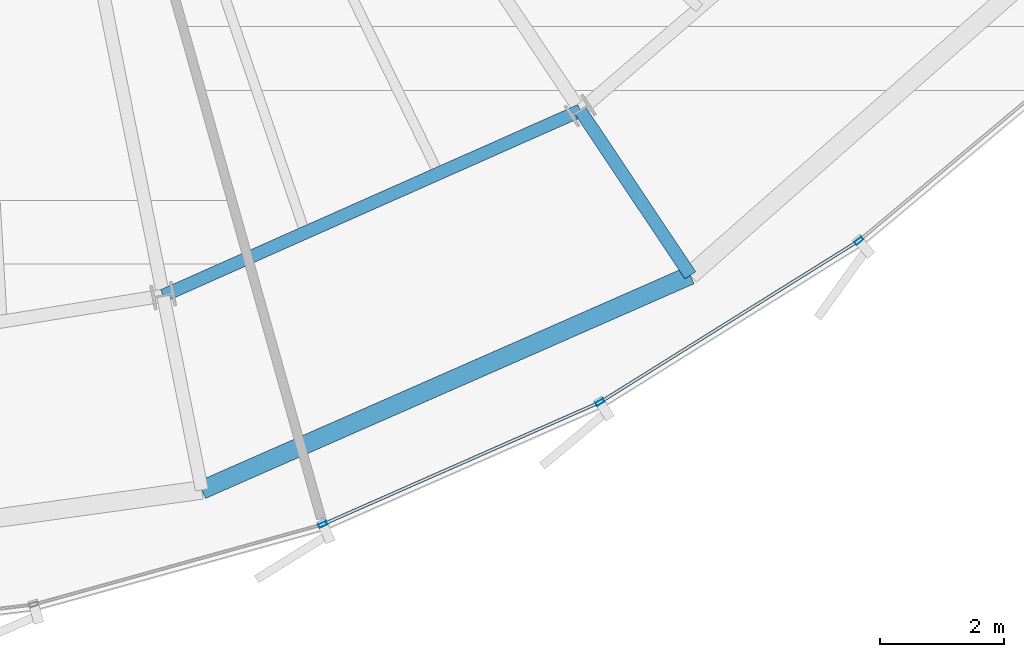
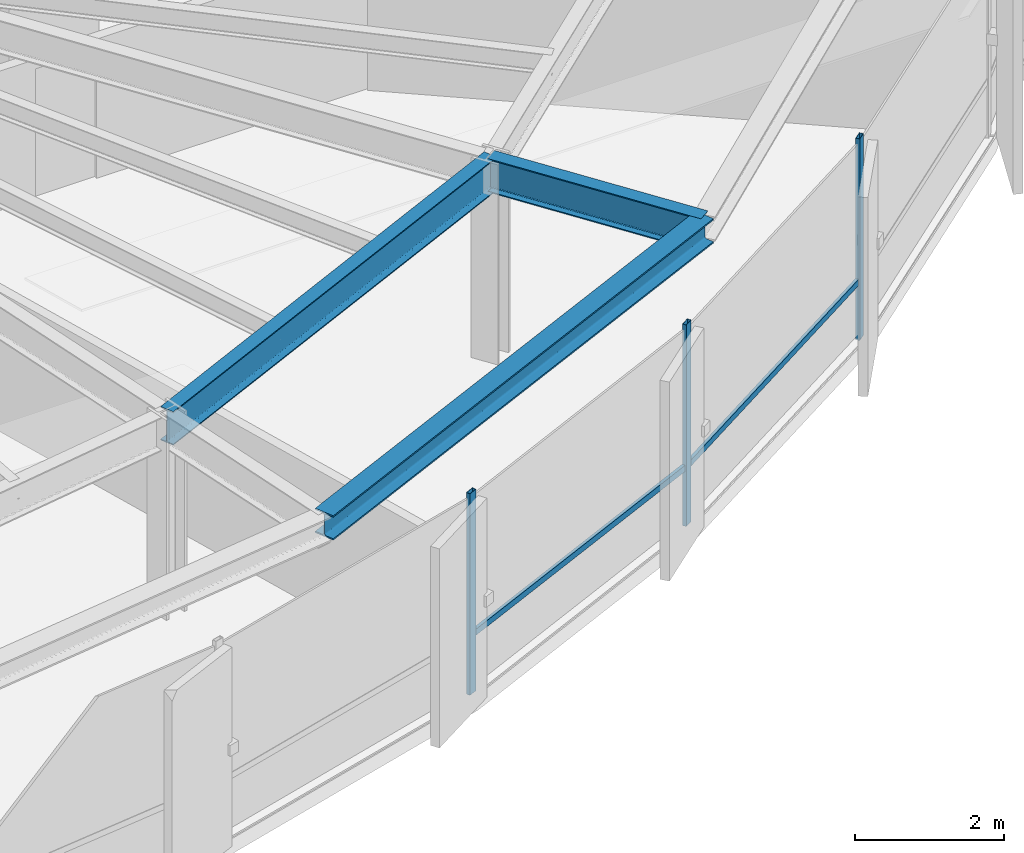
# One storey, part 12 of 35: 5 members, 3 beams, 1 element without a shape of its own.
"""IFC4 building model written with IfcOpenShell, lengths in metres."""

from ifc_helpers import new_model, si_unit, direction, frame, origin, origin_2d, place, context, subcontext, project, spatial, hollow_rectangle, i_section, extrude, source, transform, mapped, material, layer, layer_set, material_profile, profile_set, type_object, element, aggregate, save


model = new_model("IFC4")

# Units and contexts
model_context = context("Model", 3, precision=1e-05, world=origin(), true_north=direction((0.0, 1.0)))
body_context = subcontext(model_context, "Body", "Model", "MODEL_VIEW")
ifc_project = project(units=[si_unit("LENGTHUNIT", "METRE"), si_unit("AREAUNIT", "SQUARE_METRE"), si_unit("VOLUMEUNIT", "CUBIC_METRE"), si_unit("PLANEANGLEUNIT", "RADIAN"), si_unit("MASSUNIT", "GRAM", prefix="KILO"), si_unit("THERMODYNAMICTEMPERATUREUNIT", "KELVIN")], contexts=[model_context])

# Site, building, storey
site_placement = place(None, origin())
site = spatial("IfcSite", under=ifc_project, at=site_placement, CompositionType="ELEMENT")
building_placement = place(site_placement, origin())
building = spatial("IfcBuilding", under=site, at=building_placement, Name="Kethvar Cultural Tower", CompositionType="ELEMENT")
storey_placement = place(building_placement, frame((0.0, 0.0, 146.550048828125)))
storey = spatial("IfcBuildingStorey", under=building, at=storey_placement, Name="L37", CompositionType="ELEMENT", Elevation=146.550048828125)

# Beams
ifc_material_1 = material(Name="Steel S355J2", Category="steel")
ifc_material_profile_1 = material_profile(ifc_material_1, i_section(OverallWidth=0.2099609375, OverallDepth=0.550048828125, WebThickness=0.010986328125, FlangeThickness=0.01708984375, FilletRadius=0.02392578125, at=origin_2d()), Name="Steel S355J2 — IPE550")
ifc_profile_set_1 = profile_set([ifc_material_profile_1], Name="Steel S355J2 — IPE550")
beam_type_1 = type_object("IfcBeamType", Name="BM-IPE550", PredefinedType="BEAM", material=ifc_profile_set_1)
shared_shape_1 = source(origin(), body_context, "Body", "SweptSolid", [
    extrude(i_section(OverallWidth=0.2099609375, OverallDepth=0.550048828125, WebThickness=0.010986328125, FlangeThickness=0.01708984375, FilletRadius=0.02392578125, at=origin_2d()), origin(), (0.0, 0.0, 1.0), 3.199951171875),
])
beam_1_placement = place(storey_placement, frame((57.241943359375, 12.17236328125, 3.02294921875), z_axis=(0.555580212716, -0.831462943996, 0.0), x_axis=(0.831462943996, 0.555580212716, 0.0)))
element("IfcBeam", 1, at=beam_1_placement, inside=storey, type_object=beam_type_1, Name="L37 Perimeter Cantilever Beam RC-14", PredefinedType="BEAM", context=body_context, shape_type="MappedRepresentation", body=[
    mapped(shared_shape_1, transform((0.0, 0.0, 0.0), scale=1.0)),
])
shared_shape_2 = source(origin(), body_context, "Body", "SweptSolid", [
    extrude(i_section(OverallWidth=0.2099609375, OverallDepth=0.550048828125, WebThickness=0.010986328125, FlangeThickness=0.01708984375, FilletRadius=0.02392578125, at=origin_2d()), origin(), (0.0, 0.0, 1.0), 7.3720703125),
])
beam_2_placement = place(storey_placement, frame((50.50341796875, 9.182373046875, 3.02294921875), z_axis=(0.914058560918, 0.405582232367, 0.0), x_axis=(-0.405582232367, 0.914058560918, 0.0)))
element("IfcBeam", 2, at=beam_2_placement, inside=storey, type_object=beam_type_1, Name="L37 Column Ring Tie Beam CR-13", PredefinedType="BEAM", context=body_context, shape_type="MappedRepresentation", body=[
    mapped(shared_shape_2, transform((0.0, 0.0, 0.0), scale=1.0)),
])
ifc_material_profile_2 = material_profile(ifc_material_1, i_section(OverallWidth=0.300048828125, OverallDepth=0.39990234375, WebThickness=0.013427734375, FlangeThickness=0.02392578125, FilletRadius=0.027099609375, at=origin_2d()), Name="Steel S355J2 — HEB400")
ifc_profile_set_2 = profile_set([ifc_material_profile_2], Name="Steel S355J2 — HEB400")
beam_type_2 = type_object("IfcBeamType", Name="BM-SP400", PredefinedType="SPANDREL", material=ifc_profile_set_2)
shared_shape_3 = source(origin(), body_context, "Body", "SweptSolid", [
    extrude(i_section(OverallWidth=0.300048828125, OverallDepth=0.39990234375, WebThickness=0.013427734375, FlangeThickness=0.02392578125, FilletRadius=0.027099609375, at=origin_2d()), origin(), (0.0, 0.0, 1.0), 8.620361328125),
])
beam_3_placement = place(storey_placement, frame((51.127685546875, 6.043701171875, 3.097900390625), z_axis=(0.915507442902, 0.402301034041, 0.0), x_axis=(-0.402301034041, 0.915507442902, 0.0)))
element("IfcBeam", 3, at=beam_3_placement, inside=storey, type_object=beam_type_2, Name="L37 Perimeter Spandrel Beam SP-13", PredefinedType="SPANDREL", context=body_context, shape_type="MappedRepresentation", body=[
    mapped(shared_shape_3, transform((0.0, 0.0, 0.0), scale=1.0)),
])

# Curtain wall, members
ifc_material_2 = material(Name="Aluminium 6063-T6", Category="aluminium")
ifc_layer = layer(ifc_material_2, 0.179931640625, Name="Aluminium 6063-T6", Category="aluminium")
ifc_layer_set = layer_set([ifc_layer], Name="Aluminium 6063-T6 (180 mm)")
curtain_wall_type = type_object("IfcCurtainWallType", Name="CW-SYS-04-Z34", PredefinedType="NOTDEFINED", material=ifc_layer_set)
curtain_wall_placement = place(storey_placement, origin())
curtain_wall = element("IfcCurtainWall", 4, at=curtain_wall_placement, inside=storey, type_object=curtain_wall_type, Name="L37 Curtain Wall Run 05", PredefinedType="NOTDEFINED")
ifc_material_profile_3 = material_profile(ifc_material_2, hollow_rectangle(XDim=0.06005859375, YDim=0.139892578125, WallThickness=0.0048828125, at=origin_2d()), Name="Aluminium 6063-T6 — RHS140x60x5")
ifc_profile_set_3 = profile_set([ifc_material_profile_3], Name="Aluminium 6063-T6 — RHS140x60x5")
member_type_1 = type_object("IfcMemberType", Name="CW-SYS-04-Z34-MUL", PredefinedType="MULLION", material=ifc_profile_set_3)
shared_shape_4 = source(origin(), body_context, "Body", "SweptSolid", [
    extrude(hollow_rectangle(XDim=0.06005859375, YDim=0.139892578125, WallThickness=0.0048828125, at=origin_2d()), origin(), (0.0, 0.0, 1.0), 3.300048828125),
])
member_1_placement = place(storey_placement, frame((53.081787109375, 5.486328125, 0.0), z_axis=(0.0, 0.0, 1.0), x_axis=(-0.403529327232, 0.914966710905, 0.0)))
member_1 = element("IfcMember", 5, at=member_1_placement, type_object=member_type_1, Name="CW-L37-R05 Mullion 3", PredefinedType="MULLION", context=body_context, shape_type="MappedRepresentation", body=[
    mapped(shared_shape_4, transform((0.0, 0.0, 0.0), scale=1.0)),
])
member_2_placement = place(storey_placement, frame((57.560546875, 7.460205078125, 0.0), z_axis=(0.0, 0.0, 1.0), x_axis=(-0.52950476649, 0.848306962287, 0.0)))
member_2 = element("IfcMember", 6, at=member_2_placement, type_object=member_type_1, Name="CW-L37-R05 Mullion 4", PredefinedType="MULLION", context=body_context, shape_type="MappedRepresentation", body=[
    mapped(shared_shape_4, transform((0.0, 0.0, 0.0), scale=1.0)),
])
member_3_placement = place(storey_placement, frame((61.7431640625, 10.06982421875, 0.0), z_axis=(0.0, 0.0, 1.0), x_axis=(-0.641529965399, 0.767097975161, 0.0)))
member_3 = element("IfcMember", 7, at=member_3_placement, type_object=member_type_1, Name="CW-L37-R05 Mullion 5", PredefinedType="MULLION", context=body_context, shape_type="MappedRepresentation", body=[
    mapped(shared_shape_4, transform((0.0, 0.0, 0.0), scale=1.0)),
])
ifc_material_profile_4 = material_profile(ifc_material_2, hollow_rectangle(XDim=0.050048828125, YDim=0.10009765625, WallThickness=0.00390625, at=origin_2d()), Name="Aluminium 6063-T6 — RHS100x50x4")
ifc_profile_set_4 = profile_set([ifc_material_profile_4], Name="Aluminium 6063-T6 — RHS100x50x4")
member_type_2 = type_object("IfcMemberType", Name="CW-SYS-04-Z34-TRN", PredefinedType="USERDEFINED", material=ifc_profile_set_4)
shared_shape_5 = source(origin(), body_context, "Body", "SweptSolid", [
    extrude(hollow_rectangle(XDim=0.050048828125, YDim=0.10009765625, WallThickness=0.00390625, at=origin_2d()), origin(), (0.0, 0.0, 1.0), 4.858642578125),
])
member_4_placement = place(storey_placement, frame((57.59716796875, 7.483154296875, 0.949951171875), z_axis=(0.848297402275, 0.52952008205, 0.0), x_axis=(-0.52952008205, 0.848297402275, 0.0)))
member_4 = element("IfcMember", 8, at=member_4_placement, type_object=member_type_2, Name="CW-L37-R05 Transom 4", ObjectType="TRANSOM", PredefinedType="USERDEFINED", context=body_context, shape_type="MappedRepresentation", body=[
    mapped(shared_shape_5, transform((0.0, 0.0, 0.0), scale=1.0)),
])
shared_shape_6 = source(origin(), body_context, "Body", "SweptSolid", [
    extrude(hollow_rectangle(XDim=0.050048828125, YDim=0.10009765625, WallThickness=0.00390625, at=origin_2d()), origin(), (0.0, 0.0, 1.0), 4.82373046875),
])
member_5_placement = place(storey_placement, frame((53.121337890625, 5.50390625, 0.949951171875), z_axis=(0.914984857805, 0.403488178251, 0.0), x_axis=(-0.403488178251, 0.914984857805, 0.0)))
member_5 = element("IfcMember", 9, at=member_5_placement, type_object=member_type_2, Name="CW-L37-R05 Transom 3", ObjectType="TRANSOM", PredefinedType="USERDEFINED", context=body_context, shape_type="MappedRepresentation", body=[
    mapped(shared_shape_6, transform((0.0, 0.0, 0.0), scale=1.0)),
])
aggregate(curtain_wall, [member_1, member_2, member_3, member_5, member_4])

save(model, "model.ifc")
